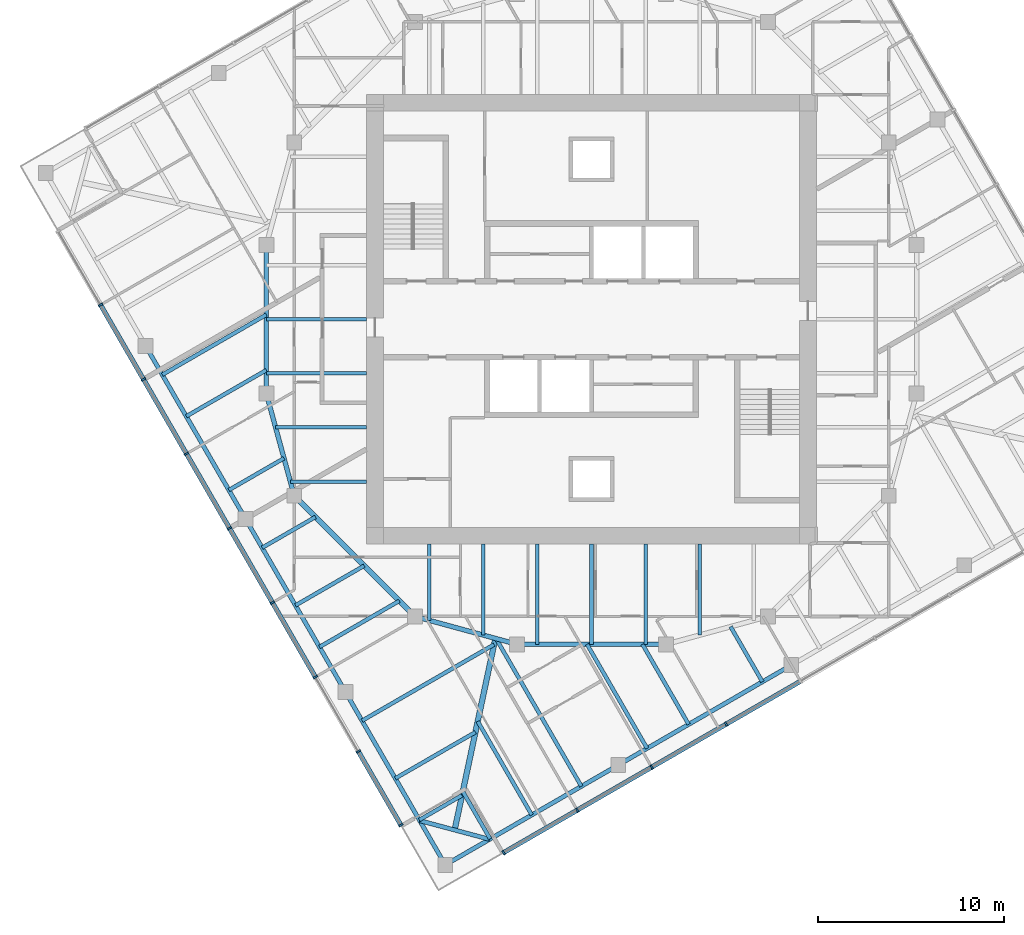
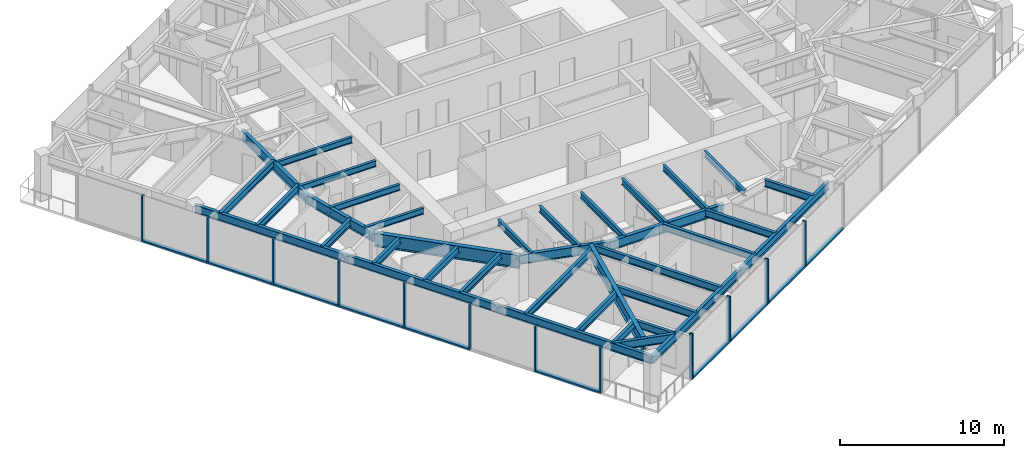
# One storey, part 2 of 12: 37 beams, 22 members, 2 elements without a shape of their own.
"""IFC4 building model written with IfcOpenShell, lengths in metres."""

from ifc_helpers import new_model, si_unit, direction, frame, origin, origin_2d, place, context, subcontext, project, spatial, rectangle, i_section, extrude, material, material_profile, profile_set, type_object, element, aggregate, save


model = new_model("IFC4")

# Units and contexts
model_context = context("Model", 3, precision=1e-05, world=origin(), true_north=direction((0.0, 1.0)))
body_context = subcontext(model_context, "Body", "Model", "MODEL_VIEW")
ifc_project = project(units=[si_unit("LENGTHUNIT", "METRE"), si_unit("AREAUNIT", "SQUARE_METRE"), si_unit("VOLUMEUNIT", "CUBIC_METRE"), si_unit("PLANEANGLEUNIT", "RADIAN"), si_unit("MASSUNIT", "GRAM", prefix="KILO")], contexts=[model_context])

# Site, building, storey
site_placement = place(None, origin())
site = spatial("IfcSite", under=ifc_project, at=site_placement, CompositionType="ELEMENT")
building_placement = place(site_placement, origin())
building = spatial("IfcBuilding", under=site, at=building_placement, Name="Torsade Residences", CompositionType="ELEMENT")
storey_placement = place(building_placement, frame((0.0, 0.0, 221.800048828125)))
storey = spatial("IfcBuildingStorey", under=building, at=storey_placement, Name="L61", CompositionType="ELEMENT", Elevation=221.800048828125)

# Beams
ifc_material_1 = material(Name="Steel grade 300", Category="steel")
ifc_material_profile_1 = material_profile(ifc_material_1, i_section(OverallWidth=0.300048828125, OverallDepth=0.89990234375, WebThickness=0.011962890625, FlangeThickness=0.02490234375, at=origin_2d()), Name="900WB175")
ifc_profile_set_1 = profile_set([ifc_material_profile_1], Name="Steel grade 300")
beam_type_1 = type_object("IfcBeamType", Name="CORNER GIRDER 900WB175", PredefinedType="BEAM", material=ifc_profile_set_1)
beam_1_placement = place(storey_placement, frame((32.6337890625, 2.5087890625, 2.800048828125), z_axis=(0.20806427425, 0.978115155685, 0.0), x_axis=(-0.978115155685, 0.20806427425, 0.0)))
element("IfcBeam", 1, at=beam_1_placement, inside=storey, type_object=beam_type_1, Name="Corner girder 01 L62", PredefinedType="BEAM", context=body_context, shape_type="SweptSolid", body=[
    extrude(i_section(OverallWidth=0.300048828125, OverallDepth=0.89990234375, WebThickness=0.011962890625, FlangeThickness=0.02490234375, at=origin_2d()), origin(), (0.0, 0.0, 1.0), 10.541748046875),
])
ifc_material_2 = material(Name="Steel grade 300", Category="steel")
ifc_material_profile_2 = material_profile(ifc_material_2, i_section(OverallWidth=0.22802734375, OverallDepth=0.60205078125, WebThickness=0.010498046875, FlangeThickness=0.014892578125, FilletRadius=0.013916015625, at=origin_2d()), Name="610UB101")
ifc_profile_set_2 = profile_set([ifc_material_profile_2], Name="Steel grade 300")
beam_type_2 = type_object("IfcBeamType", Name="CORNER TRIMMER 610UB101", PredefinedType="BEAM", material=ifc_profile_set_2)
beam_2_placement = place(storey_placement, frame((34.511962890625, 2.00537109375, 2.948974609375), z_axis=(-0.965924794002, 0.258822897619, 0.0), x_axis=(-0.258822897619, -0.965924794002, 0.0)))
element("IfcBeam", 2, at=beam_2_placement, inside=storey, type_object=beam_type_2, Name="Corner trimmer 01 L62", PredefinedType="BEAM", context=body_context, shape_type="SweptSolid", body=[
    extrude(i_section(OverallWidth=0.22802734375, OverallDepth=0.60205078125, WebThickness=0.010498046875, FlangeThickness=0.014892578125, FilletRadius=0.013916015625, at=origin_2d()), origin(), (0.0, 0.0, 1.0), 3.88916015625),
])
ifc_material_3 = material(Name="Steel grade 300", Category="steel")
ifc_material_profile_3 = material_profile(ifc_material_3, i_section(OverallWidth=0.22900390625, OverallDepth=0.612060546875, WebThickness=0.011962890625, FlangeThickness=0.01953125, FilletRadius=0.013916015625, at=origin_2d()), Name="610UB125")
ifc_profile_set_3 = profile_set([ifc_material_profile_3], Name="Steel grade 300")
beam_type_3 = type_object("IfcBeamType", Name="EDGE BEAM 610UB125", PredefinedType="SPANDREL", material=ifc_profile_set_3)
for number, where, z_axis, x_axis, name in (
    (3, (32.13037109375, 0.63037109375, 2.94384765625), (0.866026365697, 0.499998333915, 0.0), (-0.499998333915, 0.866026365697, 0.0), "Edge beam 01 L62"),
    (4, (41.440185546875, 6.00537109375, 2.94384765625), (0.866026365697, 0.499998333915, 0.0), (-0.499998333915, 0.866026365697, 0.0), "Edge beam 02 L62"),
    (5, (16.00537109375, 28.559814453125, 2.94384765625), (0.499998333915, -0.866026365697, 0.0), (0.866026365697, 0.499998333915, 0.0), "Edge beam 14 L62"),
    (6, (21.38037109375, 19.25, 2.94384765625), (0.499998333915, -0.866026365697, 0.0), (0.866026365697, 0.499998333915, 0.0), "Edge beam 15 L62"),
    (7, (26.75537109375, 9.940185546875, 2.94384765625), (0.499998333915, -0.866026365697, 0.0), (0.866026365697, 0.499998333915, 0.0), "Edge beam 16 L62"),
):
    element("IfcBeam", number, at=place(storey_placement, frame(where, z_axis=z_axis, x_axis=x_axis)), inside=storey, type_object=beam_type_3, Name=name, PredefinedType="SPANDREL", context=body_context, shape_type="SweptSolid", body=[
        extrude(i_section(OverallWidth=0.22900390625, OverallDepth=0.612060546875, WebThickness=0.011962890625, FlangeThickness=0.01953125, FilletRadius=0.013916015625, at=origin_2d()), origin(), (0.0, 0.0, 1.0), 10.75),
    ])

# Curtain wall, members
ifc_material_4 = material(Name="Aluminium and glass", Category="aluminium")
curtain_wall_type = type_object("IfcCurtainWallType", Name="FRITTED GLASS CURTAIN WALL HIGH ZONE", PredefinedType="NOTDEFINED", material=ifc_material_4)
curtain_wall_1_placement = place(storey_placement, origin())
curtain_wall_1 = element("IfcCurtainWall", 8, at=curtain_wall_1_placement, inside=storey, type_object=curtain_wall_type, Name="Curtain wall L61 face 1", PredefinedType="NOTDEFINED")
ifc_material_5 = material(Name="Aluminium mullion", Category="aluminium")
ifc_material_profile_4 = material_profile(ifc_material_5, rectangle(XDim=0.25, YDim=0.10009765625, at=origin_2d()), Name="HIGH ZONE CURTAIN WALL MULLION 250x100")
ifc_profile_set_4 = profile_set([ifc_material_profile_4], Name="Aluminium mullion")
member_type_1 = type_object("IfcMemberType", Name="HIGH ZONE CURTAIN WALL MULLION 250x100", PredefinedType="MULLION", material=ifc_profile_set_4)
member_1_placement = place(storey_placement, frame((35.271728515625, 1.289306640625, 0.0), z_axis=(0.0, 0.0, 1.0), x_axis=(-0.499999999305, 0.866025404186, 0.0)))
member_1 = element("IfcMember", 9, at=member_1_placement, type_object=member_type_1, Name="Mullion 1", PredefinedType="MULLION", context=body_context, shape_type="SweptSolid", body=[
    extrude(rectangle(XDim=0.25, YDim=0.10009765625, at=origin_2d()), origin(), (0.0, 0.0, 1.0), 3.39990234375),
])
member_2_placement = place(storey_placement, frame((39.23388671875, 3.576904296875, 0.0), z_axis=(0.0, 0.0, 1.0), x_axis=(-0.499999999305, 0.866025404186, 0.0)))
member_2 = element("IfcMember", 10, at=member_2_placement, type_object=member_type_1, Name="Mullion 2", PredefinedType="MULLION", context=body_context, shape_type="SweptSolid", body=[
    extrude(rectangle(XDim=0.25, YDim=0.10009765625, at=origin_2d()), origin(), (0.0, 0.0, 1.0), 3.39990234375),
])
member_3_placement = place(storey_placement, frame((43.2392578125, 5.889404296875, 0.0), z_axis=(0.0, 0.0, 1.0), x_axis=(-0.499999999305, 0.866025404186, 0.0)))
member_3 = element("IfcMember", 11, at=member_3_placement, type_object=member_type_1, Name="Mullion 3", PredefinedType="MULLION", context=body_context, shape_type="SweptSolid", body=[
    extrude(rectangle(XDim=0.25, YDim=0.10009765625, at=origin_2d()), origin(), (0.0, 0.0, 1.0), 3.39990234375),
])
member_4_placement = place(storey_placement, frame((47.24462890625, 8.201904296875, 0.0), z_axis=(0.0, 0.0, 1.0), x_axis=(-0.499999999305, 0.866025404186, 0.0)))
member_4 = element("IfcMember", 12, at=member_4_placement, type_object=member_type_1, Name="Mullion 4", PredefinedType="MULLION", context=body_context, shape_type="SweptSolid", body=[
    extrude(rectangle(XDim=0.25, YDim=0.10009765625, at=origin_2d()), origin(), (0.0, 0.0, 1.0), 3.39990234375),
])

curtain_wall_2_placement = place(storey_placement, origin())
curtain_wall_2 = element("IfcCurtainWall", 13, at=curtain_wall_2_placement, inside=storey, type_object=curtain_wall_type, Name="Curtain wall L61 face 10", PredefinedType="NOTDEFINED")
member_5_placement = place(storey_placement, frame((13.576904296875, 30.76611328125, 0.0), z_axis=(0.0, 0.0, 1.0), x_axis=(0.866025404186, 0.499999999305, 0.0)))
member_5 = element("IfcMember", 14, at=member_5_placement, type_object=member_type_1, Name="Mullion 2", PredefinedType="MULLION", context=body_context, shape_type="SweptSolid", body=[
    extrude(rectangle(XDim=0.25, YDim=0.10009765625, at=origin_2d()), origin(), (0.0, 0.0, 1.0), 3.39990234375),
])
member_6_placement = place(storey_placement, frame((15.889404296875, 26.7607421875, 0.0), z_axis=(0.0, 0.0, 1.0), x_axis=(0.866025404186, 0.499999999305, 0.0)))
member_6 = element("IfcMember", 15, at=member_6_placement, type_object=member_type_1, Name="Mullion 3", PredefinedType="MULLION", context=body_context, shape_type="SweptSolid", body=[
    extrude(rectangle(XDim=0.25, YDim=0.10009765625, at=origin_2d()), origin(), (0.0, 0.0, 1.0), 3.39990234375),
])
member_7_placement = place(storey_placement, frame((18.201904296875, 22.75537109375, 0.0), z_axis=(0.0, 0.0, 1.0), x_axis=(0.866025404186, 0.499999999305, 0.0)))
member_7 = element("IfcMember", 16, at=member_7_placement, type_object=member_type_1, Name="Mullion 4", PredefinedType="MULLION", context=body_context, shape_type="SweptSolid", body=[
    extrude(rectangle(XDim=0.25, YDim=0.10009765625, at=origin_2d()), origin(), (0.0, 0.0, 1.0), 3.39990234375),
])
member_8_placement = place(storey_placement, frame((20.514404296875, 18.75, 0.0), z_axis=(0.0, 0.0, 1.0), x_axis=(0.866025404186, 0.499999999305, 0.0)))
member_8 = element("IfcMember", 17, at=member_8_placement, type_object=member_type_1, Name="Mullion 5", PredefinedType="MULLION", context=body_context, shape_type="SweptSolid", body=[
    extrude(rectangle(XDim=0.25, YDim=0.10009765625, at=origin_2d()), origin(), (0.0, 0.0, 1.0), 3.39990234375),
])
member_9_placement = place(storey_placement, frame((22.826904296875, 14.74462890625, 0.0), z_axis=(0.0, 0.0, 1.0), x_axis=(0.866025404186, 0.499999999305, 0.0)))
member_9 = element("IfcMember", 18, at=member_9_placement, type_object=member_type_1, Name="Mullion 6", PredefinedType="MULLION", context=body_context, shape_type="SweptSolid", body=[
    extrude(rectangle(XDim=0.25, YDim=0.10009765625, at=origin_2d()), origin(), (0.0, 0.0, 1.0), 3.39990234375),
])
member_10_placement = place(storey_placement, frame((25.139404296875, 10.7392578125, 0.0), z_axis=(0.0, 0.0, 1.0), x_axis=(0.866025404186, 0.499999999305, 0.0)))
member_10 = element("IfcMember", 19, at=member_10_placement, type_object=member_type_1, Name="Mullion 7", PredefinedType="MULLION", context=body_context, shape_type="SweptSolid", body=[
    extrude(rectangle(XDim=0.25, YDim=0.10009765625, at=origin_2d()), origin(), (0.0, 0.0, 1.0), 3.39990234375),
])
member_11_placement = place(storey_placement, frame((27.451904296875, 6.73388671875, 0.0), z_axis=(0.0, 0.0, 1.0), x_axis=(0.866025404186, 0.499999999305, 0.0)))
member_11 = element("IfcMember", 20, at=member_11_placement, type_object=member_type_1, Name="Mullion 8", PredefinedType="MULLION", context=body_context, shape_type="SweptSolid", body=[
    extrude(rectangle(XDim=0.25, YDim=0.10009765625, at=origin_2d()), origin(), (0.0, 0.0, 1.0), 3.39990234375),
])
member_12_placement = place(storey_placement, frame((29.739501953125, 2.771728515625, 0.0), z_axis=(0.0, 0.0, 1.0), x_axis=(0.866025404186, 0.499999999305, 0.0)))
member_12 = element("IfcMember", 21, at=member_12_placement, type_object=member_type_1, Name="Mullion 9", PredefinedType="MULLION", context=body_context, shape_type="SweptSolid", body=[
    extrude(rectangle(XDim=0.25, YDim=0.10009765625, at=origin_2d()), origin(), (0.0, 0.0, 1.0), 3.39990234375),
])

# Member
ifc_material_6 = material(Name="Aluminium transom", Category="aluminium")
ifc_material_profile_5 = material_profile(ifc_material_6, rectangle(XDim=0.25, YDim=0.1201171875, at=origin_2d()), Name="HIGH ZONE CURTAIN WALL TRANSOM 250x120")
ifc_profile_set_5 = profile_set([ifc_material_profile_5], Name="Aluminium transom")
member_type_2 = type_object("IfcMemberType", Name="HIGH ZONE CURTAIN WALL TRANSOM 250x120", PredefinedType="USERDEFINED", material=ifc_profile_set_5)
member_13_placement = place(storey_placement, frame((35.315185546875, 1.314453125, 0.06005859375), z_axis=(0.866022053326, 0.50000580312, 0.0), x_axis=(-0.50000580312, 0.866022053326, 0.0)))
member_13 = element("IfcMember", 22, at=member_13_placement, type_object=member_type_2, Name="Transom 1.1", ObjectType="TRANSOM", PredefinedType="USERDEFINED", context=body_context, shape_type="SweptSolid", body=[
    extrude(rectangle(XDim=0.25, YDim=0.1201171875, at=origin_2d()), origin(), (0.0, 0.0, 1.0), 4.47509765625),
])

member_14_placement = place(storey_placement, frame((39.277099609375, 3.601806640625, 0.06005859375), z_axis=(0.866016678684, 0.500015112013, 0.0), x_axis=(-0.500015112013, 0.866016678684, 0.0)))
member_14 = element("IfcMember", 23, at=member_14_placement, type_object=member_type_2, Name="Transom 2.1", ObjectType="TRANSOM", PredefinedType="USERDEFINED", context=body_context, shape_type="SweptSolid", body=[
    extrude(rectangle(XDim=0.25, YDim=0.1201171875, at=origin_2d()), origin(), (0.0, 0.0, 1.0), 4.525146484375),
])

member_15_placement = place(storey_placement, frame((43.282470703125, 5.914306640625, 0.06005859375), z_axis=(0.866016678684, 0.500015112013, 0.0), x_axis=(-0.500015112013, 0.866016678684, 0.0)))
member_15 = element("IfcMember", 24, at=member_15_placement, type_object=member_type_2, Name="Transom 3.1", ObjectType="TRANSOM", PredefinedType="USERDEFINED", context=body_context, shape_type="SweptSolid", body=[
    extrude(rectangle(XDim=0.25, YDim=0.1201171875, at=origin_2d()), origin(), (0.0, 0.0, 1.0), 4.525146484375),
])

member_16_placement = place(storey_placement, frame((47.287841796875, 8.226806640625, 0.06005859375), z_axis=(0.866016678684, 0.500015112013, 0.0), x_axis=(-0.500015112013, 0.866016678684, 0.0)))
member_16 = element("IfcMember", 25, at=member_16_placement, type_object=member_type_2, Name="Transom 4.1", ObjectType="TRANSOM", PredefinedType="USERDEFINED", context=body_context, shape_type="SweptSolid", body=[
    extrude(rectangle(XDim=0.25, YDim=0.1201171875, at=origin_2d()), origin(), (0.0, 0.0, 1.0), 4.525146484375),
])

aggregate(curtain_wall_1, [member_1, member_2, member_3, member_4, member_13, member_14, member_15, member_16])

member_17_placement = place(storey_placement, frame((13.601806640625, 30.722900390625, 0.06005859375), z_axis=(0.500015112013, -0.866016678684, 0.0), x_axis=(0.866016678684, 0.500015112013, 0.0)))
member_17 = element("IfcMember", 26, at=member_17_placement, type_object=member_type_2, Name="Transom 2.1", ObjectType="TRANSOM", PredefinedType="USERDEFINED", context=body_context, shape_type="SweptSolid", body=[
    extrude(rectangle(XDim=0.25, YDim=0.1201171875, at=origin_2d()), origin(), (0.0, 0.0, 1.0), 4.525146484375),
])

member_18_placement = place(storey_placement, frame((15.914306640625, 26.717529296875, 0.06005859375), z_axis=(0.500015112013, -0.866016678684, 0.0), x_axis=(0.866016678684, 0.500015112013, 0.0)))
member_18 = element("IfcMember", 27, at=member_18_placement, type_object=member_type_2, Name="Transom 3.1", ObjectType="TRANSOM", PredefinedType="USERDEFINED", context=body_context, shape_type="SweptSolid", body=[
    extrude(rectangle(XDim=0.25, YDim=0.1201171875, at=origin_2d()), origin(), (0.0, 0.0, 1.0), 4.525146484375),
])

member_19_placement = place(storey_placement, frame((18.226806640625, 22.712158203125, 0.06005859375), z_axis=(0.500015112013, -0.866016678684, 0.0), x_axis=(0.866016678684, 0.500015112013, 0.0)))
member_19 = element("IfcMember", 28, at=member_19_placement, type_object=member_type_2, Name="Transom 4.1", ObjectType="TRANSOM", PredefinedType="USERDEFINED", context=body_context, shape_type="SweptSolid", body=[
    extrude(rectangle(XDim=0.25, YDim=0.1201171875, at=origin_2d()), origin(), (0.0, 0.0, 1.0), 4.525146484375),
])

member_20_placement = place(storey_placement, frame((20.539306640625, 18.706787109375, 0.06005859375), z_axis=(0.500015112013, -0.866016678684, 0.0), x_axis=(0.866016678684, 0.500015112013, 0.0)))
member_20 = element("IfcMember", 29, at=member_20_placement, type_object=member_type_2, Name="Transom 5.1", ObjectType="TRANSOM", PredefinedType="USERDEFINED", context=body_context, shape_type="SweptSolid", body=[
    extrude(rectangle(XDim=0.25, YDim=0.1201171875, at=origin_2d()), origin(), (0.0, 0.0, 1.0), 4.525146484375),
])

member_21_placement = place(storey_placement, frame((22.851806640625, 14.701416015625, 0.06005859375), z_axis=(0.500015112013, -0.866016678684, 0.0), x_axis=(0.866016678684, 0.500015112013, 0.0)))
member_21 = element("IfcMember", 30, at=member_21_placement, type_object=member_type_2, Name="Transom 6.1", ObjectType="TRANSOM", PredefinedType="USERDEFINED", context=body_context, shape_type="SweptSolid", body=[
    extrude(rectangle(XDim=0.25, YDim=0.1201171875, at=origin_2d()), origin(), (0.0, 0.0, 1.0), 4.525146484375),
])

member_22_placement = place(storey_placement, frame((27.476806640625, 6.690673828125, 0.06005859375), z_axis=(0.50000580312, -0.866022053326, 0.0), x_axis=(0.866022053326, 0.50000580312, 0.0)))
member_22 = element("IfcMember", 31, at=member_22_placement, type_object=member_type_2, Name="Transom 8.1", ObjectType="TRANSOM", PredefinedType="USERDEFINED", context=body_context, shape_type="SweptSolid", body=[
    extrude(rectangle(XDim=0.25, YDim=0.1201171875, at=origin_2d()), origin(), (0.0, 0.0, 1.0), 4.47509765625),
])

aggregate(curtain_wall_2, [member_5, member_6, member_7, member_8, member_9, member_10, member_11, member_12, member_17, member_18, member_19, member_20, member_21, member_22])

# Beams
ifc_material_7 = material(Name="Steel grade 300", Category="steel")
ifc_material_profile_6 = material_profile(ifc_material_7, i_section(OverallWidth=0.18994140625, OverallDepth=0.4541015625, WebThickness=0.008544921875, FlangeThickness=0.0126953125, FilletRadius=0.011474609375, at=origin_2d()), Name="460UB67.1")
ifc_profile_set_6 = profile_set([ifc_material_profile_6], Name="Steel grade 300")
beam_type_4 = type_object("IfcBeamType", Name="INNER FLOOR BEAM 460UB67.1", PredefinedType="JOIST", material=ifc_profile_set_6)
beam_3_placement = place(storey_placement, frame((45.824951171875, 17.89990234375, 3.02294921875), z_axis=(0.0, -1.0, 0.0), x_axis=(1.0, 0.0, 0.0)))
element("IfcBeam", 32, at=beam_3_placement, inside=storey, type_object=beam_type_4, Name="Inner floor beam IS02 L62", PredefinedType="JOIST", context=body_context, shape_type="SweptSolid", body=[
    extrude(i_section(OverallWidth=0.18994140625, OverallDepth=0.4541015625, WebThickness=0.008544921875, FlangeThickness=0.0126953125, FilletRadius=0.011474609375, at=origin_2d()), origin(), (0.0, 0.0, 1.0), 4.902099609375),
])
for number, where, z_axis, x_axis, name in (
    (33, (42.91259765625, 17.89990234375, 3.02294921875), (0.0, -1.0, 0.0), (1.0, 0.0, 0.0), "Inner floor beam IS03 L62"),
    (34, (40.0, 17.89990234375, 3.02294921875), (0.0, -1.0, 0.0), (1.0, 0.0, 0.0), "Inner floor beam IS04 L62"),
    (35, (37.08740234375, 17.89990234375, 3.02294921875), (0.0, -1.0, 0.0), (1.0, 0.0, 0.0), "Inner floor beam IS05 L62"),
):
    element("IfcBeam", number, at=place(storey_placement, frame(where, z_axis=z_axis, x_axis=x_axis)), inside=storey, type_object=beam_type_4, Name=name, PredefinedType="JOIST", context=body_context, shape_type="SweptSolid", body=[
        extrude(i_section(OverallWidth=0.18994140625, OverallDepth=0.4541015625, WebThickness=0.008544921875, FlangeThickness=0.0126953125, FilletRadius=0.011474609375, at=origin_2d()), origin(), (0.0, 0.0, 1.0), 5.39990234375),
    ])
beam_4_placement = place(storey_placement, frame((34.175048828125, 17.89990234375, 3.02294921875), z_axis=(0.0, -1.0, 0.0), x_axis=(1.0, 0.0, 0.0)))
element("IfcBeam", 36, at=beam_4_placement, inside=storey, type_object=beam_type_4, Name="Inner floor beam IS06 L62", PredefinedType="JOIST", context=body_context, shape_type="SweptSolid", body=[
    extrude(i_section(OverallWidth=0.18994140625, OverallDepth=0.4541015625, WebThickness=0.008544921875, FlangeThickness=0.0126953125, FilletRadius=0.011474609375, at=origin_2d()), origin(), (0.0, 0.0, 1.0), 4.902099609375),
])
beam_5_placement = place(storey_placement, frame((31.262451171875, 17.89990234375, 3.02294921875), z_axis=(0.0, -1.0, 0.0), x_axis=(1.0, 0.0, 0.0)))
element("IfcBeam", 37, at=beam_5_placement, inside=storey, type_object=beam_type_4, Name="Inner floor beam IS07 L62", PredefinedType="JOIST", context=body_context, shape_type="SweptSolid", body=[
    extrude(i_section(OverallWidth=0.18994140625, OverallDepth=0.4541015625, WebThickness=0.008544921875, FlangeThickness=0.0126953125, FilletRadius=0.011474609375, at=origin_2d()), origin(), (0.0, 0.0, 1.0), 4.10791015625),
])
for number, where, z_axis, x_axis, name in (
    (38, (27.89990234375, 30.0, 3.02294921875), (-1.0, 0.0, 0.0), (0.0, -1.0, 0.0), "Inner floor beam IW04 L62"),
    (39, (27.89990234375, 27.08740234375, 3.02294921875), (-1.0, 0.0, 0.0), (0.0, -1.0, 0.0), "Inner floor beam IW05 L62"),
):
    element("IfcBeam", number, at=place(storey_placement, frame(where, z_axis=z_axis, x_axis=x_axis)), inside=storey, type_object=beam_type_4, Name=name, PredefinedType="JOIST", context=body_context, shape_type="SweptSolid", body=[
        extrude(i_section(OverallWidth=0.18994140625, OverallDepth=0.4541015625, WebThickness=0.008544921875, FlangeThickness=0.0126953125, FilletRadius=0.011474609375, at=origin_2d()), origin(), (0.0, 0.0, 1.0), 5.39990234375),
    ])
beam_6_placement = place(storey_placement, frame((27.89990234375, 24.175048828125, 3.02294921875), z_axis=(-1.0, 0.0, 0.0), x_axis=(0.0, -1.0, 0.0)))
element("IfcBeam", 40, at=beam_6_placement, inside=storey, type_object=beam_type_4, Name="Inner floor beam IW06 L62", PredefinedType="JOIST", context=body_context, shape_type="SweptSolid", body=[
    extrude(i_section(OverallWidth=0.18994140625, OverallDepth=0.4541015625, WebThickness=0.008544921875, FlangeThickness=0.0126953125, FilletRadius=0.011474609375, at=origin_2d()), origin(), (0.0, 0.0, 1.0), 4.902099609375),
])
beam_7_placement = place(storey_placement, frame((27.89990234375, 21.262451171875, 3.02294921875), z_axis=(-1.0, 0.0, 0.0), x_axis=(0.0, -1.0, 0.0)))
element("IfcBeam", 41, at=beam_7_placement, inside=storey, type_object=beam_type_4, Name="Inner floor beam IW07 L62", PredefinedType="JOIST", context=body_context, shape_type="SweptSolid", body=[
    extrude(i_section(OverallWidth=0.18994140625, OverallDepth=0.4541015625, WebThickness=0.008544921875, FlangeThickness=0.0126953125, FilletRadius=0.011474609375, at=origin_2d()), origin(), (0.0, 0.0, 1.0), 4.10791015625),
])
ifc_material_8 = material(Name="Steel grade 300", Category="steel")
ifc_material_profile_7 = material_profile(ifc_material_8, i_section(OverallWidth=0.300048828125, OverallDepth=1.0, WebThickness=0.01611328125, FlangeThickness=0.028076171875, at=origin_2d()), Name="1000WB215")
ifc_profile_set_7 = profile_set([ifc_material_profile_7], Name="Steel grade 300")
beam_type_5 = type_object("IfcBeamType", Name="RING CORNER GIRDER 1000WB215", PredefinedType="BEAM", material=ifc_profile_set_7)
beam_8_placement = place(storey_placement, frame((24.0, 20.5, 2.75), z_axis=(0.707106781187, -0.707106781187, 0.0), x_axis=(0.707106781187, 0.707106781187, 0.0)))
element("IfcBeam", 42, at=beam_8_placement, inside=storey, type_object=beam_type_5, Name="Ring girder IR11 L62", PredefinedType="BEAM", context=body_context, shape_type="SweptSolid", body=[
    extrude(i_section(OverallWidth=0.300048828125, OverallDepth=1.0, WebThickness=0.01611328125, FlangeThickness=0.028076171875, at=origin_2d()), origin(), (0.0, 0.0, 1.0), 9.1923828125),
])
ifc_material_9 = material(Name="Steel grade 300", Category="steel")
ifc_material_profile_8 = material_profile(ifc_material_9, i_section(OverallWidth=0.25, OverallDepth=0.699951171875, WebThickness=0.010009765625, FlangeThickness=0.02001953125, at=origin_2d()), Name="700WB130")
ifc_profile_set_8 = profile_set([ifc_material_profile_8], Name="Steel grade 300")
beam_type_6 = type_object("IfcBeamType", Name="RING GIRDER 700WB130", PredefinedType="BEAM", material=ifc_profile_set_8)
beam_9_placement = place(storey_placement, frame((22.5, 34.0, 2.89990234375), z_axis=(0.0, -1.0, 0.0), x_axis=(1.0, 0.0, 0.0)))
element("IfcBeam", 43, at=beam_9_placement, inside=storey, type_object=beam_type_6, Name="Ring girder IR09 L62", PredefinedType="BEAM", context=body_context, shape_type="SweptSolid", body=[
    extrude(i_section(OverallWidth=0.25, OverallDepth=0.699951171875, WebThickness=0.010009765625, FlangeThickness=0.02001953125, at=origin_2d()), origin(), (0.0, 0.0, 1.0), 8.0),
])
for number, where, z_axis, x_axis, name in (
    (44, (22.5, 26.0, 2.89990234375), (0.263117405792, -0.964763821238, 0.0), (0.964763821238, 0.263117405792, 0.0), "Ring girder IR10 L62"),
    (45, (30.5, 14.0, 2.89990234375), (0.964763821238, -0.263117405792, 0.0), (0.263117405792, 0.964763821238, 0.0), "Ring girder IR12 L62"),
):
    element("IfcBeam", number, at=place(storey_placement, frame(where, z_axis=z_axis, x_axis=x_axis)), inside=storey, type_object=beam_type_6, Name=name, PredefinedType="BEAM", context=body_context, shape_type="SweptSolid", body=[
        extrude(i_section(OverallWidth=0.25, OverallDepth=0.699951171875, WebThickness=0.010009765625, FlangeThickness=0.02001953125, at=origin_2d()), origin(), (0.0, 0.0, 1.0), 5.700927734375),
    ])
beam_10_placement = place(storey_placement, frame((36.0, 12.5, 2.89990234375), z_axis=(1.0, 0.0, 0.0), x_axis=(0.0, 1.0, 0.0)))
element("IfcBeam", 46, at=beam_10_placement, inside=storey, type_object=beam_type_6, Name="Ring girder IR13 L62", PredefinedType="BEAM", context=body_context, shape_type="SweptSolid", body=[
    extrude(i_section(OverallWidth=0.25, OverallDepth=0.699951171875, WebThickness=0.010009765625, FlangeThickness=0.02001953125, at=origin_2d()), origin(), (0.0, 0.0, 1.0), 8.0),
])
ifc_material_10 = material(Name="Steel grade 300", Category="steel")
ifc_material_profile_9 = material_profile(ifc_material_10, i_section(OverallWidth=0.208984375, OverallDepth=0.528076171875, WebThickness=0.009521484375, FlangeThickness=0.01318359375, FilletRadius=0.013916015625, at=origin_2d()), Name="530UB82.0")
ifc_profile_set_9 = profile_set([ifc_material_profile_9], Name="Steel grade 300")
beam_type_7 = type_object("IfcBeamType", Name="SECONDARY BEAM 530UB82.0", PredefinedType="JOIST", material=ifc_profile_set_9)
beam_11_placement = place(storey_placement, frame((34.548095703125, 2.0263671875, 2.98583984375), z_axis=(-0.500014013, 0.866017313224, 0.0), x_axis=(-0.866017313224, -0.500014013, 0.0)))
element("IfcBeam", 47, at=beam_11_placement, inside=storey, type_object=beam_type_7, Name="Floor beam FS01 L62", PredefinedType="JOIST", context=body_context, shape_type="SweptSolid", body=[
    extrude(i_section(OverallWidth=0.208984375, OverallDepth=0.528076171875, WebThickness=0.009521484375, FlangeThickness=0.01318359375, FilletRadius=0.013916015625, at=origin_2d()), origin(), (0.0, 0.0, 1.0), 2.94775390625),
])
beam_12_placement = place(storey_placement, frame((36.785400390625, 3.31787109375, 2.98583984375), z_axis=(-0.499990133118, 0.866031100357, 0.0), x_axis=(-0.866031100357, -0.499990133118, 0.0)))
element("IfcBeam", 48, at=beam_12_placement, inside=storey, type_object=beam_type_7, Name="Floor beam FS02 L62", PredefinedType="JOIST", context=body_context, shape_type="SweptSolid", body=[
    extrude(i_section(OverallWidth=0.208984375, OverallDepth=0.528076171875, WebThickness=0.009521484375, FlangeThickness=0.01318359375, FilletRadius=0.013916015625, at=origin_2d()), origin(), (0.0, 0.0, 1.0), 5.81591796875),
])
beam_13_placement = place(storey_placement, frame((39.45556640625, 4.859619140625, 2.98583984375), z_axis=(-0.500006393711, 0.866021712342, 0.0), x_axis=(-0.866021712342, -0.500006393711, 0.0)))
element("IfcBeam", 49, at=beam_13_placement, inside=storey, type_object=beam_type_7, Name="Floor beam FS03 L62", PredefinedType="JOIST", context=body_context, shape_type="SweptSolid", body=[
    extrude(i_section(OverallWidth=0.208984375, OverallDepth=0.528076171875, WebThickness=0.009521484375, FlangeThickness=0.01318359375, FilletRadius=0.013916015625, at=origin_2d()), origin(), (0.0, 0.0, 1.0), 9.1796875),
])
beam_14_placement = place(storey_placement, frame((42.991943359375, 6.9013671875, 2.98583984375), z_axis=(-0.500005767435, 0.866022073929, 0.0), x_axis=(-0.866022073929, -0.500005767435, 0.0)))
element("IfcBeam", 50, at=beam_14_placement, inside=storey, type_object=beam_type_7, Name="Floor beam FS04 L62", PredefinedType="JOIST", context=body_context, shape_type="SweptSolid", body=[
    extrude(i_section(OverallWidth=0.208984375, OverallDepth=0.528076171875, WebThickness=0.009521484375, FlangeThickness=0.01318359375, FilletRadius=0.013916015625, at=origin_2d()), origin(), (0.0, 0.0, 1.0), 6.46484375),
])
beam_15_placement = place(storey_placement, frame((45.22900390625, 8.19287109375, 2.98583984375), z_axis=(-0.499977414361, 0.866038443216, 0.0), x_axis=(-0.866038443216, -0.499977414361, 0.0)))
element("IfcBeam", 51, at=beam_15_placement, inside=storey, type_object=beam_type_7, Name="Floor beam FS05 L62", PredefinedType="JOIST", context=body_context, shape_type="SweptSolid", body=[
    extrude(i_section(OverallWidth=0.208984375, OverallDepth=0.528076171875, WebThickness=0.009521484375, FlangeThickness=0.01318359375, FilletRadius=0.013916015625, at=origin_2d()), origin(), (0.0, 0.0, 1.0), 4.973388671875),
])
beam_16_placement = place(storey_placement, frame((49.198486328125, 10.484619140625, 2.98583984375), z_axis=(-0.500041249073, 0.866001587311, 0.0), x_axis=(-0.866001587311, -0.500041249073, 0.0)))
element("IfcBeam", 52, at=beam_16_placement, inside=storey, type_object=beam_type_7, Name="Floor beam FS06 L62", PredefinedType="JOIST", context=body_context, shape_type="SweptSolid", body=[
    extrude(i_section(OverallWidth=0.208984375, OverallDepth=0.528076171875, WebThickness=0.009521484375, FlangeThickness=0.01318359375, FilletRadius=0.013916015625, at=origin_2d()), origin(), (0.0, 0.0, 1.0), 3.425048828125),
])
beam_17_placement = place(storey_placement, frame((16.9013671875, 27.008056640625, 2.98583984375), z_axis=(0.866022073929, 0.500005767435, 0.0), x_axis=(-0.500005767435, 0.866022073929, 0.0)))
element("IfcBeam", 53, at=beam_17_placement, inside=storey, type_object=beam_type_7, Name="Floor beam FW04 L62", PredefinedType="JOIST", context=body_context, shape_type="SweptSolid", body=[
    extrude(i_section(OverallWidth=0.208984375, OverallDepth=0.528076171875, WebThickness=0.009521484375, FlangeThickness=0.01318359375, FilletRadius=0.013916015625, at=origin_2d()), origin(), (0.0, 0.0, 1.0), 6.46484375),
])
beam_18_placement = place(storey_placement, frame((18.19287109375, 24.77099609375, 2.98583984375), z_axis=(0.866038443216, 0.499977414361, 0.0), x_axis=(-0.499977414361, 0.866038443216, 0.0)))
element("IfcBeam", 54, at=beam_18_placement, inside=storey, type_object=beam_type_7, Name="Floor beam FW05 L62", PredefinedType="JOIST", context=body_context, shape_type="SweptSolid", body=[
    extrude(i_section(OverallWidth=0.208984375, OverallDepth=0.528076171875, WebThickness=0.009521484375, FlangeThickness=0.01318359375, FilletRadius=0.013916015625, at=origin_2d()), origin(), (0.0, 0.0, 1.0), 4.973388671875),
])
beam_19_placement = place(storey_placement, frame((20.484619140625, 20.801513671875, 2.98583984375), z_axis=(0.866001587311, 0.500041249073, 0.0), x_axis=(-0.500041249073, 0.866001587311, 0.0)))
element("IfcBeam", 55, at=beam_19_placement, inside=storey, type_object=beam_type_7, Name="Floor beam FW06 L62", PredefinedType="JOIST", context=body_context, shape_type="SweptSolid", body=[
    extrude(i_section(OverallWidth=0.208984375, OverallDepth=0.528076171875, WebThickness=0.009521484375, FlangeThickness=0.01318359375, FilletRadius=0.013916015625, at=origin_2d()), origin(), (0.0, 0.0, 1.0), 3.425048828125),
])
beam_20_placement = place(storey_placement, frame((22.2763671875, 17.698486328125, 2.98583984375), z_axis=(0.866039541186, 0.499975512502, 0.0), x_axis=(-0.499975512502, 0.866039541186, 0.0)))
element("IfcBeam", 56, at=beam_20_placement, inside=storey, type_object=beam_type_7, Name="Floor beam FW07 L62", PredefinedType="JOIST", context=body_context, shape_type="SweptSolid", body=[
    extrude(i_section(OverallWidth=0.208984375, OverallDepth=0.528076171875, WebThickness=0.009521484375, FlangeThickness=0.01318359375, FilletRadius=0.013916015625, at=origin_2d()), origin(), (0.0, 0.0, 1.0), 3.312744140625),
])
beam_21_placement = place(storey_placement, frame((24.06787109375, 14.59521484375, 2.98583984375), z_axis=(0.866022880939, 0.500004369671, 0.0), x_axis=(-0.500004369671, 0.866022880939, 0.0)))
element("IfcBeam", 57, at=beam_21_placement, inside=storey, type_object=beam_type_7, Name="Floor beam FW08 L62", PredefinedType="JOIST", context=body_context, shape_type="SweptSolid", body=[
    extrude(i_section(OverallWidth=0.208984375, OverallDepth=0.528076171875, WebThickness=0.009521484375, FlangeThickness=0.01318359375, FilletRadius=0.013916015625, at=origin_2d()), origin(), (0.0, 0.0, 1.0), 4.27294921875),
])
beam_22_placement = place(storey_placement, frame((25.359619140625, 12.35791015625, 2.98583984375), z_axis=(0.866043933037, 0.49996790502, 0.0), x_axis=(-0.49996790502, 0.866043933037, 0.0)))
element("IfcBeam", 58, at=beam_22_placement, inside=storey, type_object=beam_type_7, Name="Floor beam FW09 L62", PredefinedType="JOIST", context=body_context, shape_type="SweptSolid", body=[
    extrude(i_section(OverallWidth=0.208984375, OverallDepth=0.528076171875, WebThickness=0.009521484375, FlangeThickness=0.01318359375, FilletRadius=0.013916015625, at=origin_2d()), origin(), (0.0, 0.0, 1.0), 4.965087890625),
])
beam_23_placement = place(storey_placement, frame((27.6513671875, 8.388671875, 2.98583984375), z_axis=(0.866030002502, 0.499992034702, 0.0), x_axis=(-0.499992034702, 0.866030002502, 0.0)))
element("IfcBeam", 59, at=beam_23_placement, inside=storey, type_object=beam_type_7, Name="Floor beam FW10 L62", PredefinedType="JOIST", context=body_context, shape_type="SweptSolid", body=[
    extrude(i_section(OverallWidth=0.208984375, OverallDepth=0.528076171875, WebThickness=0.009521484375, FlangeThickness=0.01318359375, FilletRadius=0.013916015625, at=origin_2d()), origin(), (0.0, 0.0, 1.0), 8.205322265625),
])
beam_24_placement = place(storey_placement, frame((29.44287109375, 5.285400390625, 2.98583984375), z_axis=(0.866043477274, 0.499968694491, 0.0), x_axis=(-0.499968694491, 0.866043477274, 0.0)))
element("IfcBeam", 60, at=beam_24_placement, inside=storey, type_object=beam_type_7, Name="Floor beam FW11 L62", PredefinedType="JOIST", context=body_context, shape_type="SweptSolid", body=[
    extrude(i_section(OverallWidth=0.208984375, OverallDepth=0.528076171875, WebThickness=0.009521484375, FlangeThickness=0.01318359375, FilletRadius=0.013916015625, at=origin_2d()), origin(), (0.0, 0.0, 1.0), 4.977783203125),
])
beam_25_placement = place(storey_placement, frame((30.734619140625, 3.048095703125, 2.98583984375), z_axis=(0.866041431316, 0.499972238474, 0.0), x_axis=(-0.499972238474, 0.866041431316, 0.0)))
element("IfcBeam", 61, at=beam_25_placement, inside=storey, type_object=beam_type_7, Name="Floor beam FW12 L62", PredefinedType="JOIST", context=body_context, shape_type="SweptSolid", body=[
    extrude(i_section(OverallWidth=0.208984375, OverallDepth=0.528076171875, WebThickness=0.009521484375, FlangeThickness=0.01318359375, FilletRadius=0.013916015625, at=origin_2d()), origin(), (0.0, 0.0, 1.0), 2.651123046875),
])

save(model, "model.ifc")
